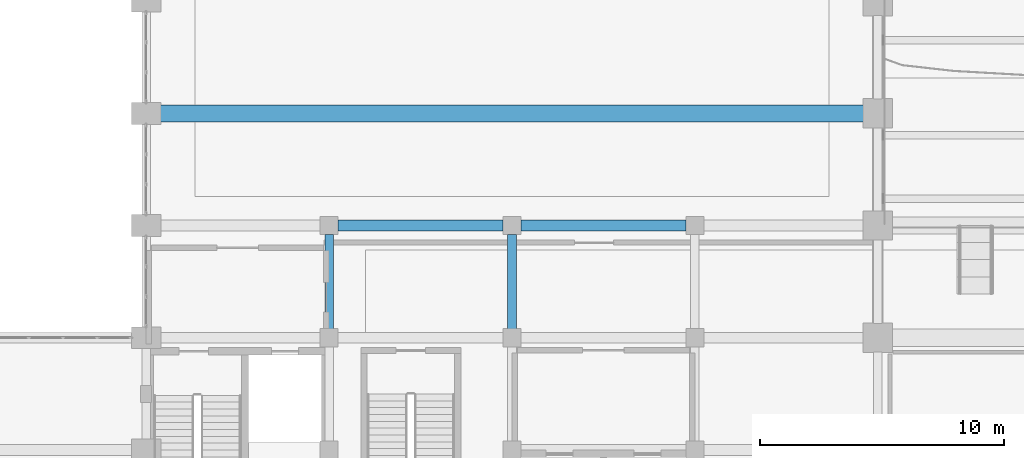
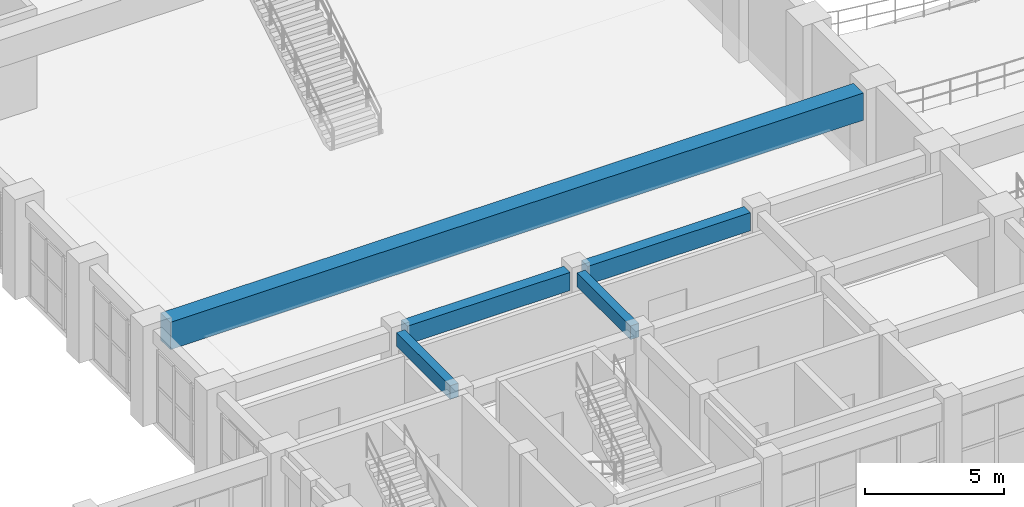
# One storey, part 31 of 116: 5 beams.
"""IFC4 building model written with IfcOpenShell, lengths in metres."""

from ifc_helpers import new_model, si_unit, direction, frame, origin, origin_2d, place, context, subcontext, project, spatial, rectangle, extrude, material, material_profile, profile_set, type_object, element, save


model = new_model("IFC4")

# Units and contexts
model_context = context("Model", 3, precision=1e-05, world=origin(), true_north=direction((0.0, 1.0)))
body_context = subcontext(model_context, "Body", "Model", "MODEL_VIEW")
ifc_project = project(units=[si_unit("LENGTHUNIT", "METRE"), si_unit("AREAUNIT", "SQUARE_METRE"), si_unit("VOLUMEUNIT", "CUBIC_METRE"), si_unit("PLANEANGLEUNIT", "RADIAN"), si_unit("MASSUNIT", "GRAM", prefix="KILO")], contexts=[model_context])

# Site, building, storey
site_placement = place(None, origin())
site = spatial("IfcSite", under=ifc_project, at=site_placement, CompositionType="ELEMENT")
building_placement = place(site_placement, origin())
building = spatial("IfcBuilding", under=site, at=building_placement, Name="Muzn Square Opera House", CompositionType="ELEMENT")
storey_placement = place(building_placement, frame((0.0, 0.0, 5.39990234375)))
storey = spatial("IfcBuildingStorey", under=building, at=storey_placement, Name="L01", CompositionType="ELEMENT", Elevation=5.39990234375)

# Beams
ifc_material = material(Name="Concrete C40/50", Category="concrete")
ifc_material_profile_1 = material_profile(ifc_material, rectangle(XDim=0.35009765625, YDim=0.60009765625, at=origin_2d()), Name="RCB 350x600", Category="concrete")
ifc_profile_set_1 = profile_set([ifc_material_profile_1], Name="Concrete C40/50")
beam_type_1 = type_object("IfcBeamType", Name="Primary Girder 350x600", PredefinedType="BEAM", material=ifc_profile_set_1)
for number, where, z_axis, x_axis, name in (
    (1, (50.5, 31.56689453125, 3.820068359375), (0.0, 1.0, 0.0), (-1.0, 0.0, 0.0), "Primary Girder BM-L01-BM-PG600-505_316_505_354-1619"),
    (2, (58.0, 31.56689453125, 3.820068359375), (0.0, 1.0, 0.0), (-1.0, 0.0, 0.0), "Primary Girder BM-L01-BM-PG600-580_316_580_354-1628"),
):
    element("IfcBeam", number, at=place(storey_placement, frame(where, z_axis=z_axis, x_axis=x_axis)), inside=storey, type_object=beam_type_1, Name=name, PredefinedType="BEAM", context=body_context, shape_type="SweptSolid", body=[
        extrude(rectangle(XDim=0.35009765625, YDim=0.60009765625, at=origin_2d()), origin(), (0.0, 0.0, 1.0), 3.8662109375),
    ])
ifc_material_profile_2 = material_profile(ifc_material, rectangle(XDim=0.449951171875, YDim=0.800048828125, at=origin_2d()), Name="RCB 450x800", Category="concrete")
ifc_profile_set_2 = profile_set([ifc_material_profile_2], Name="Concrete C40/50")
beam_type_2 = type_object("IfcBeamType", Name="Primary Girder 450x800", PredefinedType="BEAM", material=ifc_profile_set_2)
for number, where, z_axis, x_axis, name in (
    (3, (50.866943359375, 35.800048828125, 3.72021484375), (1.0, 0.0, 0.0), (0.0, 1.0, 0.0), "Primary Girder BM-L01-BM-PG800-509_358_576_358-1337"),
    (4, (58.366943359375, 35.800048828125, 3.72021484375), (1.0, 0.0, 0.0), (0.0, 1.0, 0.0), "Primary Girder BM-L01-BM-PG800-584_358_651_358-1338"),
):
    element("IfcBeam", number, at=place(storey_placement, frame(where, z_axis=z_axis, x_axis=x_axis)), inside=storey, type_object=beam_type_2, Name=name, PredefinedType="BEAM", context=body_context, shape_type="SweptSolid", body=[
        extrude(rectangle(XDim=0.449951171875, YDim=0.800048828125, at=origin_2d()), origin(), (0.0, 0.0, 1.0), 6.76611328125),
    ])
ifc_material_profile_3 = material_profile(ifc_material, rectangle(XDim=0.699951171875, YDim=1.199951171875, at=origin_2d()), Name="RCB 700x1200", Category="concrete")
ifc_profile_set_3 = profile_set([ifc_material_profile_3], Name="Concrete C40/50")
beam_type_3 = type_object("IfcBeamType", Name="Primary Girder 700x1200", PredefinedType="BEAM", material=ifc_profile_set_3)
beam_placement = place(storey_placement, frame((43.592041015625, 40.39990234375, 3.52001953125), z_axis=(1.0, 0.0, 0.0), x_axis=(0.0, 1.0, 0.0)))
element("IfcBeam", 5, at=beam_placement, inside=storey, type_object=beam_type_3, Name="Primary Girder BM-L01-BM-PG1200-436_404_724_404-1351", PredefinedType="BEAM", context=body_context, shape_type="SweptSolid", body=[
    extrude(rectangle(XDim=0.699951171875, YDim=1.199951171875, at=origin_2d()), origin(), (0.0, 0.0, 1.0), 28.81591796875),
])

save(model, "model.ifc")
